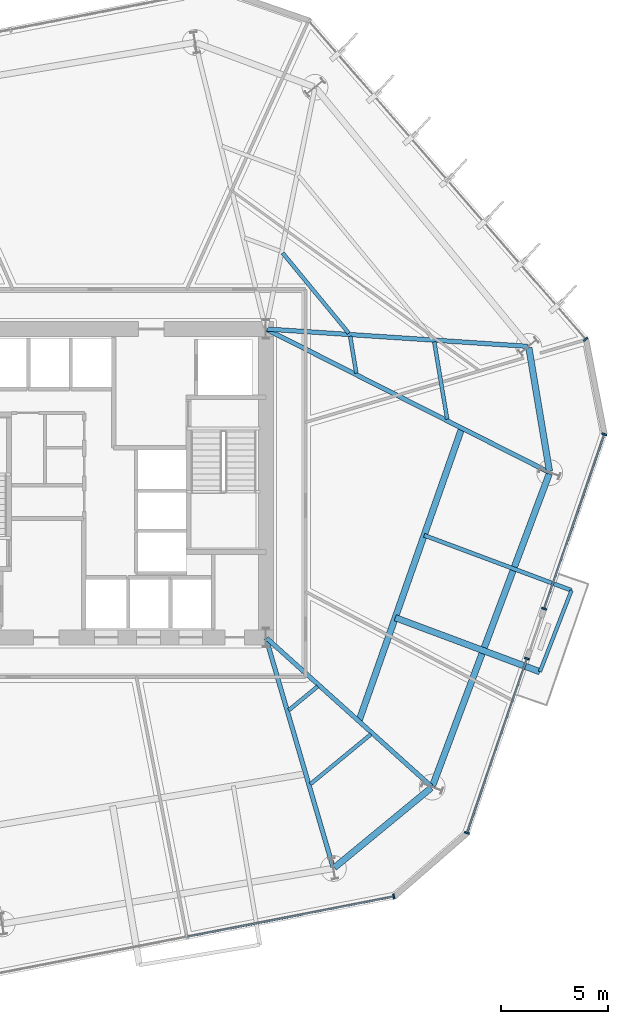
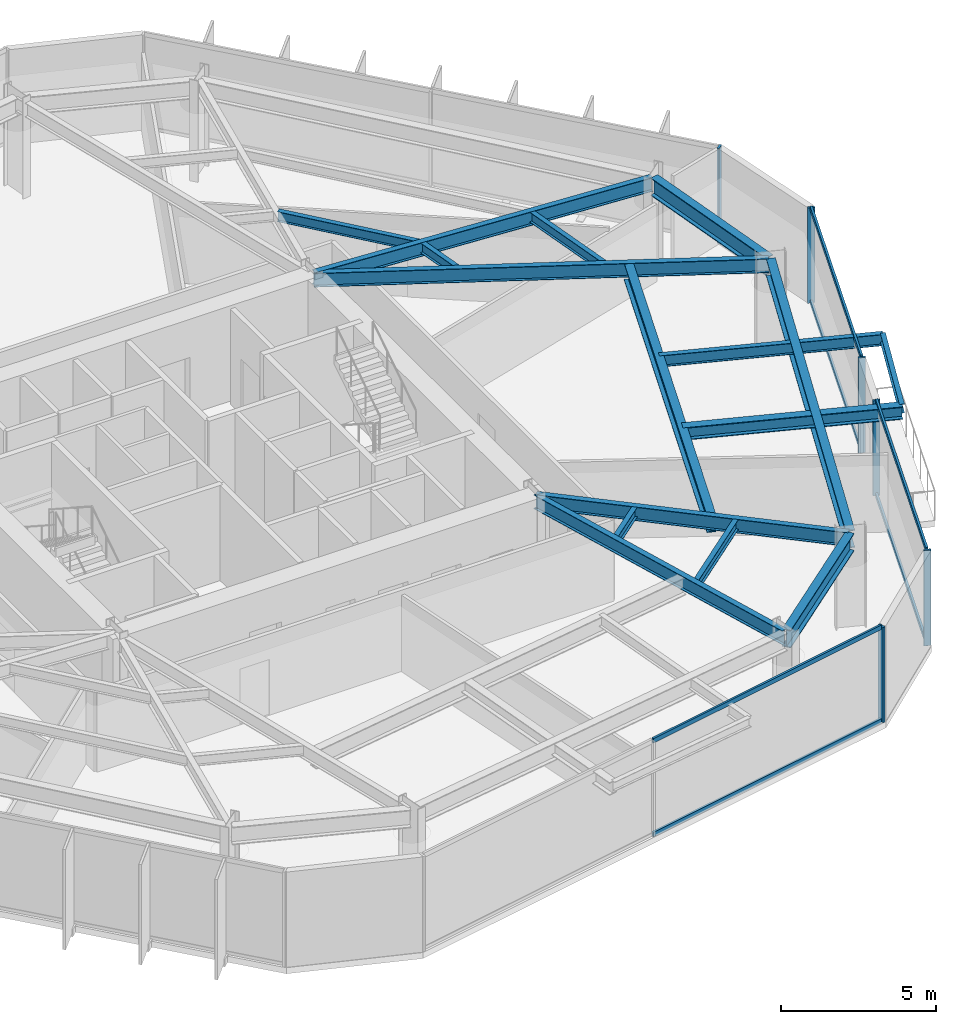
# One storey, part 3 of 10: 16 beams, 12 members, 4 elements without a shape of their own.
"""IFC4 building model written with IfcOpenShell, lengths in metres."""

from ifc_helpers import new_model, si_unit, direction, frame, origin, origin_2d, place, context, subcontext, project, spatial, rectangle, i_section, extrude, material, layer, layer_set, material_profile, profile_set, type_object, element, aggregate, save


model = new_model("IFC4")

# Units and contexts
model_context = context("Model", 3, precision=1e-05, world=origin(), true_north=direction((0.0, 1.0)))
body_context = subcontext(model_context, "Body", "Model", "MODEL_VIEW")
ifc_project = project(units=[si_unit("LENGTHUNIT", "METRE"), si_unit("AREAUNIT", "SQUARE_METRE"), si_unit("VOLUMEUNIT", "CUBIC_METRE"), si_unit("PLANEANGLEUNIT", "RADIAN"), si_unit("MASSUNIT", "GRAM", prefix="KILO")], contexts=[model_context])

# Site, building, storey
site_placement = place(None, origin())
site = spatial("IfcSite", under=ifc_project, at=site_placement, CompositionType="ELEMENT")
building_placement = place(site_placement, origin())
building = spatial("IfcBuilding", under=site, at=building_placement, Name="Kranzbogen Civic Tower", CompositionType="ELEMENT")
storey_placement = place(building_placement, frame((0.0, 0.0, 64.0)))
storey = spatial("IfcBuildingStorey", under=building, at=storey_placement, Name="L15", CompositionType="ELEMENT", Elevation=64.0)

# Beam
ifc_material_1 = material(Name="Steel S355", Category="steel")
ifc_material_profile_1 = material_profile(ifc_material_1, i_section(OverallWidth=0.18994140625, OverallDepth=0.449951171875, WebThickness=0.009521484375, FlangeThickness=0.0146484375, at=origin_2d()), Name="IPE 450")
ifc_profile_set_1 = profile_set([ifc_material_profile_1], Name="Steel S355")
beam_type_1 = type_object("IfcBeamType", Name="Braced Terrace Edge Beam IPE 450", PredefinedType="BEAM", material=ifc_profile_set_1)
beam_1_placement = place(storey_placement, frame((40.195068359375, 22.56689453125, 3.52490234375), z_axis=(0.936711058775, -0.350103402396, 0.0), x_axis=(0.350103402396, 0.936711058775, 0.0)))
element("IfcBeam", 1, at=beam_1_placement, inside=storey, type_object=beam_type_1, Name="L16 back-spanned terrace beam L16-TB2-2", PredefinedType="BEAM", context=body_context, shape_type="SweptSolid", body=[
    extrude(i_section(OverallWidth=0.18994140625, OverallDepth=0.449951171875, WebThickness=0.009521484375, FlangeThickness=0.0146484375, at=origin_2d()), origin(), (0.0, 0.0, 1.0), 7.345703125),
])

# Curtain wall, member
ifc_material_2 = material(Name="Pale Anodised Aluminium", Category="aluminium")
ifc_layer = layer(ifc_material_2, 0.219970703125, Name="Pale Anodised Aluminium")
ifc_layer_set = layer_set([ifc_layer], Name="Pale Anodised Aluminium")
curtain_wall_type = type_object("IfcCurtainWallType", Name="Zone 1 Stick Curtain Wall System CW-02", PredefinedType="USERDEFINED", material=ifc_layer_set)
curtain_wall_1_placement = place(storey_placement, origin())
curtain_wall_1 = element("IfcCurtainWall", 2, at=curtain_wall_1_placement, inside=storey, type_object=curtain_wall_type, Name="L15 curtain wall CW-L15-F1", ObjectType="STICK CURTAIN WALL", PredefinedType="USERDEFINED")
ifc_material_profile_2 = material_profile(ifc_material_2, rectangle(XDim=0.080078125, YDim=0.239990234375, at=origin_2d()), Name="ALU-M 80x240")
ifc_profile_set_2 = profile_set([ifc_material_profile_2], Name="Pale Anodised Aluminium")
member_type_1 = type_object("IfcMemberType", Name="Curtain Wall Mullion ALU-M 80x240", PredefinedType="MULLION", material=ifc_profile_set_2)
member_1_placement = place(storey_placement, frame((47.73828125, 31.724609375, 0.0), z_axis=(0.0, 0.0, 1.0), x_axis=(-0.65605582795, 0.754712362833, 0.0)))
member_1 = element("IfcMember", 3, at=member_1_placement, type_object=member_type_1, Name="CW-02 mullion 1", PredefinedType="MULLION", context=body_context, shape_type="SweptSolid", body=[
    extrude(rectangle(XDim=0.080078125, YDim=0.239990234375, at=origin_2d()), origin(), (0.0, 0.0, 1.0), 3.760009765625),
])
aggregate(curtain_wall_1, [member_1])

curtain_wall_2_placement = place(storey_placement, origin())
curtain_wall_2 = element("IfcCurtainWall", 4, at=curtain_wall_2_placement, inside=storey, type_object=curtain_wall_type, Name="L15 curtain wall CW-L15-F5", ObjectType="STICK CURTAIN WALL", PredefinedType="USERDEFINED")
member_2_placement = place(storey_placement, frame((38.778564453125, 5.702392578125, 0.0), z_axis=(0.0, 0.0, 1.0), x_axis=(0.98162224226, 0.190834413825, 0.0)))
member_2 = element("IfcMember", 5, at=member_2_placement, type_object=member_type_1, Name="CW-02 mullion 3", PredefinedType="MULLION", context=body_context, shape_type="SweptSolid", body=[
    extrude(rectangle(XDim=0.080078125, YDim=0.239990234375, at=origin_2d()), origin(), (0.0, 0.0, 1.0), 3.760009765625),
])

# Curtain wall, members
curtain_wall_3_placement = place(storey_placement, origin())
curtain_wall_3 = element("IfcCurtainWall", 6, at=curtain_wall_3_placement, inside=storey, type_object=curtain_wall_type, Name="L15 curtain wall CW-L15-F6-S1", ObjectType="STICK CURTAIN WALL", PredefinedType="USERDEFINED")
member_3_placement = place(storey_placement, frame((42.19384765625, 8.67138671875, 0.0), z_axis=(0.0, 0.0, 1.0), x_axis=(0.325589005836, 0.945511395637, 0.0)))
member_3 = element("IfcMember", 7, at=member_3_placement, type_object=member_type_1, Name="CW-02 mullion 1", PredefinedType="MULLION", context=body_context, shape_type="SweptSolid", body=[
    extrude(rectangle(XDim=0.080078125, YDim=0.239990234375, at=origin_2d()), origin(), (0.0, 0.0, 1.0), 3.760009765625),
])
member_4_placement = place(storey_placement, frame((44.997314453125, 16.812744140625, 0.0), z_axis=(0.0, 0.0, 1.0), x_axis=(0.325589005836, 0.945511395637, 0.0)))
member_4 = element("IfcMember", 8, at=member_4_placement, type_object=member_type_1, Name="CW-02 mullion 2", PredefinedType="MULLION", context=body_context, shape_type="SweptSolid", body=[
    extrude(rectangle(XDim=0.080078125, YDim=0.239990234375, at=origin_2d()), origin(), (0.0, 0.0, 1.0), 3.760009765625),
])

curtain_wall_4_placement = place(storey_placement, origin())
curtain_wall_4 = element("IfcCurtainWall", 9, at=curtain_wall_4_placement, inside=storey, type_object=curtain_wall_type, Name="L15 curtain wall CW-L15-F6-S2", ObjectType="STICK CURTAIN WALL", PredefinedType="USERDEFINED")
member_5_placement = place(storey_placement, frame((45.7978515625, 19.139404296875, 0.0), z_axis=(0.0, 0.0, 1.0), x_axis=(0.325621094494, 0.945500345225, 0.0)))
member_5 = element("IfcMember", 10, at=member_5_placement, type_object=member_type_1, Name="CW-02 mullion 1", PredefinedType="MULLION", context=body_context, shape_type="SweptSolid", body=[
    extrude(rectangle(XDim=0.080078125, YDim=0.239990234375, at=origin_2d()), origin(), (0.0, 0.0, 1.0), 3.760009765625),
])
member_6_placement = place(storey_placement, frame((48.602294921875, 27.28271484375, 0.0), z_axis=(0.0, 0.0, 1.0), x_axis=(0.325621094494, 0.945500345225, 0.0)))
member_6 = element("IfcMember", 11, at=member_6_placement, type_object=member_type_1, Name="CW-02 mullion 2", PredefinedType="MULLION", context=body_context, shape_type="SweptSolid", body=[
    extrude(rectangle(XDim=0.080078125, YDim=0.239990234375, at=origin_2d()), origin(), (0.0, 0.0, 1.0), 3.760009765625),
])

# Member
ifc_material_profile_3 = material_profile(ifc_material_2, rectangle(XDim=0.080078125, YDim=0.179931640625, at=origin_2d()), Name="ALU-T 80x180")
ifc_profile_set_3 = profile_set([ifc_material_profile_3], Name="Pale Anodised Aluminium")
member_type_2 = type_object("IfcMemberType", Name="Curtain Wall Transom ALU-T 80x180", PredefinedType="USERDEFINED", material=ifc_profile_set_3)
member_7_placement = place(storey_placement, frame((29.146484375, 3.829833984375, 0.030029296875), z_axis=(0.981624221123, 0.190824234585, 0.0), x_axis=(-0.190824234585, 0.981624221123, 0.0)))
member_7 = element("IfcMember", 12, at=member_7_placement, type_object=member_type_2, Name="CW-02 transom 2.1", ObjectType="TRANSOM", PredefinedType="USERDEFINED", context=body_context, shape_type="SweptSolid", body=[
    extrude(rectangle(XDim=0.080078125, YDim=0.179931640625, at=origin_2d()), origin(), (0.0, 0.0, 1.0), 9.7822265625),
])

member_8_placement = place(storey_placement, frame((29.146484375, 3.829833984375, 3.72998046875), z_axis=(0.981624221123, 0.190824234585, 0.0), x_axis=(-0.190824234585, 0.981624221123, 0.0)))
member_8 = element("IfcMember", 13, at=member_8_placement, type_object=member_type_2, Name="CW-02 transom 2.2", ObjectType="TRANSOM", PredefinedType="USERDEFINED", context=body_context, shape_type="SweptSolid", body=[
    extrude(rectangle(XDim=0.080078125, YDim=0.179931640625, at=origin_2d()), origin(), (0.0, 0.0, 1.0), 9.7822265625),
])

aggregate(curtain_wall_2, [member_2, member_7, member_8])

member_9_placement = place(storey_placement, frame((42.20361328125, 8.69970703125, 0.030029296875), z_axis=(0.325592032379, 0.945510353434, 0.0), x_axis=(-0.945510353434, 0.325592032379, 0.0)))
member_9 = element("IfcMember", 14, at=member_9_placement, type_object=member_type_2, Name="CW-02 transom 1.1", ObjectType="TRANSOM", PredefinedType="USERDEFINED", context=body_context, shape_type="SweptSolid", body=[
    extrude(rectangle(XDim=0.080078125, YDim=0.179931640625, at=origin_2d()), origin(), (0.0, 0.0, 1.0), 8.55029296875),
])

member_10_placement = place(storey_placement, frame((42.20361328125, 8.69970703125, 3.72998046875), z_axis=(0.325592032379, 0.945510353434, 0.0), x_axis=(-0.945510353434, 0.325592032379, 0.0)))
member_10 = element("IfcMember", 15, at=member_10_placement, type_object=member_type_2, Name="CW-02 transom 1.2", ObjectType="TRANSOM", PredefinedType="USERDEFINED", context=body_context, shape_type="SweptSolid", body=[
    extrude(rectangle(XDim=0.080078125, YDim=0.179931640625, at=origin_2d()), origin(), (0.0, 0.0, 1.0), 8.55029296875),
])

aggregate(curtain_wall_3, [member_3, member_4, member_9, member_10])

member_11_placement = place(storey_placement, frame((45.8076171875, 19.167724609375, 0.030029296875), z_axis=(0.325623808255, 0.945499410628, 0.0), x_axis=(-0.945499410628, 0.325623808255, 0.0)))
member_11 = element("IfcMember", 16, at=member_11_placement, type_object=member_type_2, Name="CW-02 transom 1.1", ObjectType="TRANSOM", PredefinedType="USERDEFINED", context=body_context, shape_type="SweptSolid", body=[
    extrude(rectangle(XDim=0.080078125, YDim=0.179931640625, at=origin_2d()), origin(), (0.0, 0.0, 1.0), 8.552490234375),
])

member_12_placement = place(storey_placement, frame((45.8076171875, 19.167724609375, 3.72998046875), z_axis=(0.325623808255, 0.945499410628, 0.0), x_axis=(-0.945499410628, 0.325623808255, 0.0)))
member_12 = element("IfcMember", 17, at=member_12_placement, type_object=member_type_2, Name="CW-02 transom 1.2", ObjectType="TRANSOM", PredefinedType="USERDEFINED", context=body_context, shape_type="SweptSolid", body=[
    extrude(rectangle(XDim=0.080078125, YDim=0.179931640625, at=origin_2d()), origin(), (0.0, 0.0, 1.0), 8.552490234375),
])

aggregate(curtain_wall_4, [member_5, member_6, member_11, member_12])

# Beams
ifc_material_profile_4 = material_profile(ifc_material_1, i_section(OverallWidth=0.300048828125, OverallDepth=0.5, WebThickness=0.014404296875, FlangeThickness=0.028076171875, at=origin_2d()), Name="HEB 500")
ifc_profile_set_4 = profile_set([ifc_material_profile_4], Name="Steel S355")
beam_type_2 = type_object("IfcBeamType", Name="Perimeter Tube Spandrel Beam HEB 500", PredefinedType="SPANDREL", material=ifc_profile_set_4)
beam_2_placement = place(storey_placement, frame((38.844970703125, 18.720947265625, 3.5), z_axis=(0.93668906626, -0.350162238325, 0.0), x_axis=(0.350162238325, 0.93668906626, 0.0)))
element("IfcBeam", 18, at=beam_2_placement, inside=storey, type_object=beam_type_2, Name="L16 back-spanned terrace beam L16-TB2-1", PredefinedType="SPANDREL", context=body_context, shape_type="SweptSolid", body=[
    extrude(i_section(OverallWidth=0.300048828125, OverallDepth=0.5, WebThickness=0.014404296875, FlangeThickness=0.028076171875, at=origin_2d()), origin(), (0.0, 0.0, 1.0), 7.210693359375),
])
ifc_material_profile_5 = material_profile(ifc_material_1, i_section(OverallWidth=0.300048828125, OverallDepth=0.699951171875, WebThickness=0.01708984375, FlangeThickness=0.031982421875, at=origin_2d()), Name="HEB 700")
ifc_profile_set_5 = profile_set([ifc_material_profile_5], Name="Steel S355")
beam_type_3 = type_object("IfcBeamType", Name="Perimeter Tube Spandrel Beam HEB 700", PredefinedType="SPANDREL", material=ifc_profile_set_5)
beam_3_placement = place(storey_placement, frame((36.00390625, 7.050048828125, 3.409912109375), z_axis=(0.77168336865, 0.636006901337, 0.0), x_axis=(-0.636006901337, 0.77168336865, 0.0)))
element("IfcBeam", 19, at=beam_3_placement, inside=storey, type_object=beam_type_3, Name="L15 perimeter spandrel beam 05", PredefinedType="SPANDREL", context=body_context, shape_type="SweptSolid", body=[
    extrude(i_section(OverallWidth=0.300048828125, OverallDepth=0.699951171875, WebThickness=0.01708984375, FlangeThickness=0.031982421875, at=origin_2d()), origin(), (0.0, 0.0, 1.0), 5.853515625),
])
beam_4_placement = place(storey_placement, frame((40.587890625, 10.866943359375, 3.409912109375), z_axis=(0.350172267932, 0.936685316833, 0.0), x_axis=(-0.936685316833, 0.350172267932, 0.0)))
element("IfcBeam", 20, at=beam_4_placement, inside=storey, type_object=beam_type_3, Name="L15 perimeter spandrel beam 06", PredefinedType="SPANDREL", context=body_context, shape_type="SweptSolid", body=[
    extrude(i_section(OverallWidth=0.300048828125, OverallDepth=0.699951171875, WebThickness=0.01708984375, FlangeThickness=0.031982421875, at=origin_2d()), origin(), (0.0, 0.0, 1.0), 15.55810546875),
])
beam_5_placement = place(storey_placement, frame((46.047119140625, 25.554931640625, 3.409912109375), z_axis=(-0.164913116942, 0.986308097838, 0.0), x_axis=(-0.986308097838, -0.164913116942, 0.0)))
element("IfcBeam", 21, at=beam_5_placement, inside=storey, type_object=beam_type_3, Name="L15 perimeter spandrel beam 07", PredefinedType="SPANDREL", context=body_context, shape_type="SweptSolid", body=[
    extrude(i_section(OverallWidth=0.300048828125, OverallDepth=0.699951171875, WebThickness=0.01708984375, FlangeThickness=0.031982421875, at=origin_2d()), origin(), (0.0, 0.0, 1.0), 5.85205078125),
])
beam_6_placement = place(storey_placement, frame((37.14794921875, 13.887939453125, 3.39990234375), z_axis=(0.331242591506, 0.943545624531, 0.0), x_axis=(-0.943545624531, 0.331242591506, 0.0)))
element("IfcBeam", 22, at=beam_6_placement, inside=storey, type_object=beam_type_3, Name="L16 balcony back-span header girder L16-TB2", PredefinedType="SPANDREL", context=body_context, shape_type="SweptSolid", body=[
    extrude(i_section(OverallWidth=0.300048828125, OverallDepth=0.699951171875, WebThickness=0.01708984375, FlangeThickness=0.031982421875, at=origin_2d()), origin(), (0.0, 0.0, 1.0), 14.5029296875),
])
ifc_material_profile_6 = material_profile(ifc_material_1, i_section(OverallWidth=0.2099609375, OverallDepth=0.550048828125, WebThickness=0.010986328125, FlangeThickness=0.01708984375, at=origin_2d()), Name="IPE 550")
ifc_profile_set_6 = profile_set([ifc_material_profile_6], Name="Steel S355")
beam_type_4 = type_object("IfcBeamType", Name="Radial Tower Floor Girder IPE 550", PredefinedType="BEAM", material=ifc_profile_set_6)
beam_7_placement = place(storey_placement, frame((35.94091796875, 7.070068359375, 3.485107421875), z_axis=(-0.280944131918, 0.959724124288, 0.0), x_axis=(-0.959724124288, -0.280944131918, 0.0)))
element("IfcBeam", 23, at=beam_7_placement, inside=storey, type_object=beam_type_4, Name="L15 radial floor girder 05", PredefinedType="BEAM", context=body_context, shape_type="SweptSolid", body=[
    extrude(i_section(OverallWidth=0.2099609375, OverallDepth=0.550048828125, WebThickness=0.010986328125, FlangeThickness=0.01708984375, at=origin_2d()), origin(), (0.0, 0.0, 1.0), 11.11962890625),
])
beam_8_placement = place(storey_placement, frame((40.52197265625, 10.85107421875, 3.485107421875), z_axis=(-0.743311776894, 0.668945141496, 0.0), x_axis=(-0.668945141496, -0.743311776894, 0.0)))
element("IfcBeam", 24, at=beam_8_placement, inside=storey, type_object=beam_type_4, Name="L15 radial floor girder 06", PredefinedType="BEAM", context=body_context, shape_type="SweptSolid", body=[
    extrude(i_section(OverallWidth=0.2099609375, OverallDepth=0.550048828125, WebThickness=0.010986328125, FlangeThickness=0.01708984375, at=origin_2d()), origin(), (0.0, 0.0, 1.0), 10.328125),
])
beam_9_placement = place(storey_placement, frame((46.0029296875, 25.52294921875, 3.485107421875), z_axis=(-0.892363219254, 0.451317942168, 0.0), x_axis=(-0.451317942168, -0.892363219254, 0.0)))
element("IfcBeam", 25, at=beam_9_placement, inside=storey, type_object=beam_type_4, Name="L15 radial floor girder 07", PredefinedType="BEAM", context=body_context, shape_type="SweptSolid", body=[
    extrude(i_section(OverallWidth=0.2099609375, OverallDepth=0.550048828125, WebThickness=0.010986328125, FlangeThickness=0.01708984375, at=origin_2d()), origin(), (0.0, 0.0, 1.0), 14.73486328125),
])
beam_10_placement = place(storey_placement, frame((45.011962890625, 31.389892578125, 3.485107421875), z_axis=(-0.99780674843, 0.066194356156, 0.0), x_axis=(-0.066194356156, -0.99780674843, 0.0)))
element("IfcBeam", 26, at=beam_10_placement, inside=storey, type_object=beam_type_4, Name="L15 radial floor girder 08", PredefinedType="BEAM", context=body_context, shape_type="SweptSolid", body=[
    extrude(i_section(OverallWidth=0.2099609375, OverallDepth=0.550048828125, WebThickness=0.010986328125, FlangeThickness=0.01708984375, at=origin_2d()), origin(), (0.0, 0.0, 1.0), 12.178466796875),
])
ifc_material_profile_7 = material_profile(ifc_material_1, i_section(OverallWidth=0.169921875, OverallDepth=0.360107421875, WebThickness=0.008056640625, FlangeThickness=0.0126953125, at=origin_2d()), Name="IPE 360")
ifc_profile_set_7 = profile_set([ifc_material_profile_7], Name="Steel S355")
beam_type_5 = type_object("IfcBeamType", Name="Secondary Composite Floor Joist IPE 360", PredefinedType="JOIST", material=ifc_profile_set_7)
beam_11_placement = place(storey_placement, frame((45.59912109375, 16.196044921875, 3.570068359375), z_axis=(0.362316186667, 0.932055245615, 0.0), x_axis=(-0.932055245615, 0.362316186667, 0.0)))
element("IfcBeam", 27, at=beam_11_placement, inside=storey, type_object=beam_type_5, Name="L16 terrace outer edge trimmer L16-TB2", PredefinedType="JOIST", context=body_context, shape_type="SweptSolid", body=[
    extrude(i_section(OverallWidth=0.169921875, OverallDepth=0.360107421875, WebThickness=0.008056640625, FlangeThickness=0.0126953125, at=origin_2d()), origin(), (0.0, 0.0, 1.0), 4.075927734375),
])
ifc_material_profile_8 = material_profile(ifc_material_1, i_section(OverallWidth=0.179931640625, OverallDepth=0.39990234375, WebThickness=0.008544921875, FlangeThickness=0.013427734375, at=origin_2d()), Name="IPE 400")
ifc_profile_set_8 = profile_set([ifc_material_profile_8], Name="Steel S355")
beam_type_6 = type_object("IfcBeamType", Name="Secondary Composite Floor Joist IPE 400", PredefinedType="JOIST", material=ifc_profile_set_8)
beam_12_placement = place(storey_placement, frame((34.883056640625, 10.947021484375, 3.56005859375), z_axis=(0.771712720426, 0.635971286406, 0.0), x_axis=(-0.635971286406, 0.771712720426, 0.0)))
element("IfcBeam", 28, at=beam_12_placement, inside=storey, type_object=beam_type_6, Name="L15 secondary floor joist 1.05", PredefinedType="JOIST", context=body_context, shape_type="SweptSolid", body=[
    extrude(i_section(OverallWidth=0.179931640625, OverallDepth=0.39990234375, WebThickness=0.008544921875, FlangeThickness=0.013427734375, at=origin_2d()), origin(), (0.0, 0.0, 1.0), 3.661865234375),
])
beam_13_placement = place(storey_placement, frame((33.8720703125, 14.39892578125, 3.56005859375), z_axis=(0.771773324836, 0.635897739477, 0.0), x_axis=(-0.635897739477, 0.771773324836, 0.0)))
element("IfcBeam", 29, at=beam_13_placement, inside=storey, type_object=beam_type_6, Name="L15 secondary floor joist 2.05", PredefinedType="JOIST", context=body_context, shape_type="SweptSolid", body=[
    extrude(i_section(OverallWidth=0.179931640625, OverallDepth=0.39990234375, WebThickness=0.008544921875, FlangeThickness=0.013427734375, at=origin_2d()), origin(), (0.0, 0.0, 1.0), 1.751953125),
])
beam_14_placement = place(storey_placement, frame((41.27099609375, 27.988037109375, 3.56005859375), z_axis=(-0.164928678379, 0.986305495802, 0.0), x_axis=(-0.986305495802, -0.164928678379, 0.0)))
element("IfcBeam", 30, at=beam_14_placement, inside=storey, type_object=beam_type_6, Name="L15 secondary floor joist 1.07", PredefinedType="JOIST", context=body_context, shape_type="SweptSolid", body=[
    extrude(i_section(OverallWidth=0.179931640625, OverallDepth=0.39990234375, WebThickness=0.008544921875, FlangeThickness=0.013427734375, at=origin_2d()), origin(), (0.0, 0.0, 1.0), 3.662109375),
])
beam_15_placement = place(storey_placement, frame((37.029052734375, 30.134033203125, 3.56005859375), z_axis=(-0.165077224104, 0.986280644686, 0.0), x_axis=(-0.986280644686, -0.165077224104, 0.0)))
element("IfcBeam", 31, at=beam_15_placement, inside=storey, type_object=beam_type_6, Name="L15 secondary floor joist 2.07", PredefinedType="JOIST", context=body_context, shape_type="SweptSolid", body=[
    extrude(i_section(OverallWidth=0.179931640625, OverallDepth=0.39990234375, WebThickness=0.008544921875, FlangeThickness=0.013427734375, at=origin_2d()), origin(), (0.0, 0.0, 1.0), 1.7509765625),
])
beam_16_placement = place(storey_placement, frame((36.676025390625, 32.0009765625, 3.56005859375), z_axis=(-0.636012010413, 0.771679157818, 0.0), x_axis=(-0.771679157818, -0.636012010413, 0.0)))
element("IfcBeam", 32, at=beam_16_placement, inside=storey, type_object=beam_type_6, Name="L15 secondary floor joist 2.08", PredefinedType="JOIST", context=body_context, shape_type="SweptSolid", body=[
    extrude(i_section(OverallWidth=0.179931640625, OverallDepth=0.39990234375, WebThickness=0.008544921875, FlangeThickness=0.013427734375, at=origin_2d()), origin(), (0.0, 0.0, 1.0), 4.85693359375),
])

save(model, "model.ifc")
